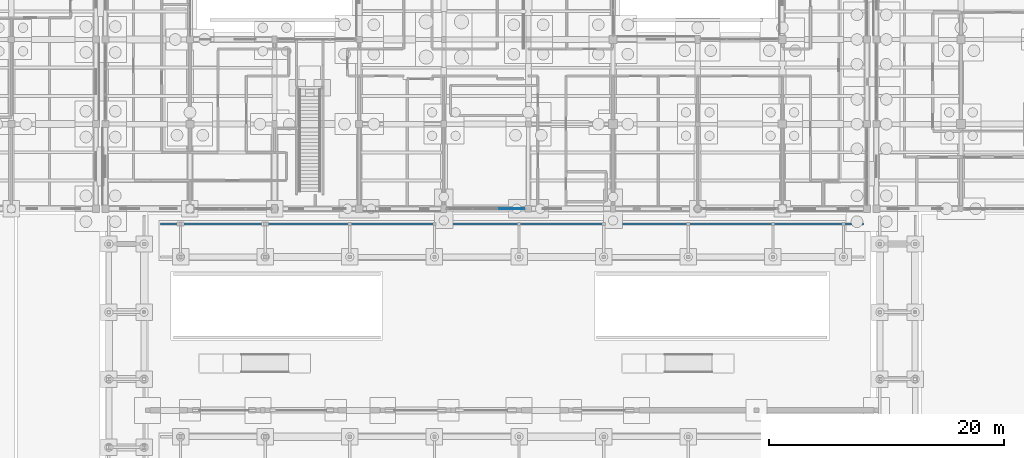
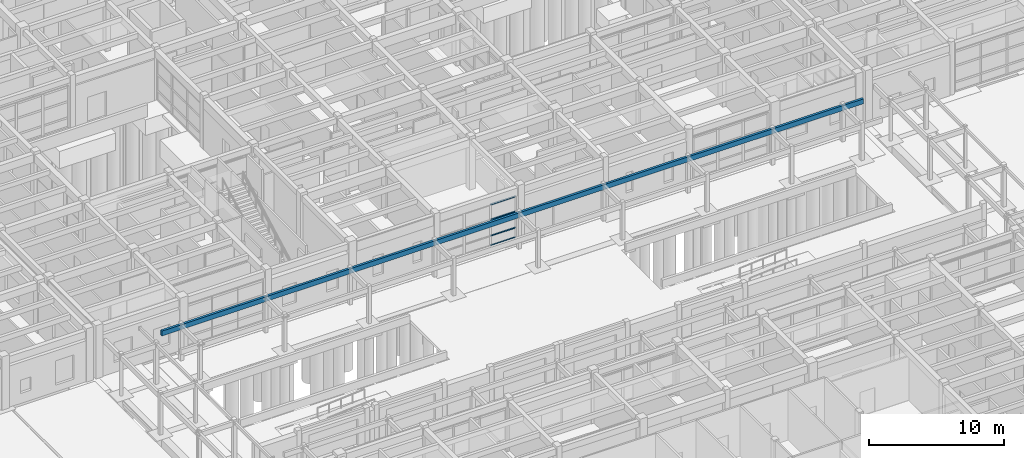
# One storey, part 52 of 143: 4 members, 1 beam, 1 element without a shape of its own.
"""IFC4 building model written with IfcOpenShell, lengths in metres."""

from ifc_helpers import new_model, si_unit, direction, frame, origin, origin_2d, place, context, subcontext, project, spatial, rectangle, extrude, material, material_profile, profile_set, type_object, element, aggregate, save


model = new_model("IFC4")

# Units and contexts
model_context = context("Model", 3, precision=1e-05, world=origin(), true_north=direction((0.0, 1.0)))
body_context = subcontext(model_context, "Body", "Model", "MODEL_VIEW")
ifc_project = project(units=[si_unit("LENGTHUNIT", "METRE"), si_unit("AREAUNIT", "SQUARE_METRE"), si_unit("VOLUMEUNIT", "CUBIC_METRE"), si_unit("PLANEANGLEUNIT", "RADIAN"), si_unit("MASSUNIT", "GRAM", prefix="KILO")], contexts=[model_context])

# Site, building, storey
site_placement = place(None, origin())
site = spatial("IfcSite", under=ifc_project, at=site_placement, CompositionType="ELEMENT")
building_placement = place(site_placement, origin())
building = spatial("IfcBuilding", under=site, at=building_placement, Name="Steenspoor Specialist Clinic", CompositionType="ELEMENT")
storey_placement = place(building_placement, origin())
storey = spatial("IfcBuildingStorey", under=building, at=storey_placement, Name="L00", CompositionType="ELEMENT", Elevation=0.0)

# Beam
ifc_material_1 = material(Name="Glulam GL28h", Category="wood")
ifc_material_profile_1 = material_profile(ifc_material_1, rectangle(XDim=0.199951171875, YDim=0.43994140625, at=origin_2d()), Name="GL28H-200X440")
ifc_profile_set_1 = profile_set([ifc_material_profile_1], Name="Glulam GL28h")
beam_type = type_object("IfcBeamType", Name="BM-GL-200X440", PredefinedType="BEAM", material=ifc_profile_set_1)
beam_placement = place(storey_placement, frame((57.10009765625, 63.85009765625, 3.014892578125), z_axis=(1.0, 0.0, 0.0), x_axis=(0.0, 1.0, 0.0)))
element("IfcBeam", 1, at=beam_placement, inside=storey, type_object=beam_type, Name="BM-WK4-CONT-1", PredefinedType="BEAM", context=body_context, shape_type="SweptSolid", body=[
    extrude(rectangle(XDim=0.199951171875, YDim=0.43994140625, at=origin_2d()), origin(), (0.0, 0.0, 1.0), 59.7998046875),
])

# Curtain wall, members
ifc_material_2 = material(Name="Thermally broken aluminium and low-emissivity glass", Category="aluminium")
curtain_wall_type = type_object("IfcCurtainWallType", Name="CW-SCR-360X320", PredefinedType="USERDEFINED", material=ifc_material_2)
curtain_wall_placement = place(storey_placement, origin())
curtain_wall = element("IfcCurtainWall", 2, at=curtain_wall_placement, inside=storey, type_object=curtain_wall_type, Name="Unitised Curtain Wall CW-V4-L00-043", ObjectType="UNITISED GLAZING", PredefinedType="USERDEFINED")
ifc_material_3 = material(Name="Thermally broken aluminium 6063-T6", Category="aluminium")
ifc_material_profile_2 = material_profile(ifc_material_3, rectangle(XDim=0.06005859375, YDim=0.114990234375, at=origin_2d()), Name="CWT-60X115")
ifc_profile_set_2 = profile_set([ifc_material_profile_2], Name="Thermally broken aluminium 6063-T6")
member_type = type_object("IfcMemberType", Name="CW-TRAN-60X115", PredefinedType="USERDEFINED", material=ifc_profile_set_2)
member_1_placement = place(storey_placement, frame((88.044921875, 65.14990234375, 0.030029296875), z_axis=(-1.0, 0.0, 0.0), x_axis=(0.0, -1.0, 0.0)))
member_1 = element("IfcMember", 3, at=member_1_placement, type_object=member_type, Name="CW-19 transom 1.1", ObjectType="TRANSOM", PredefinedType="USERDEFINED", context=body_context, shape_type="SweptSolid", body=[
    extrude(rectangle(XDim=0.06005859375, YDim=0.114990234375, at=origin_2d()), origin(), (0.0, 0.0, 1.0), 2.11328125),
])
member_2_placement = place(storey_placement, frame((88.044921875, 65.14990234375, 0.89990234375), z_axis=(-1.0, 0.0, 0.0), x_axis=(0.0, -1.0, 0.0)))
member_2 = element("IfcMember", 4, at=member_2_placement, type_object=member_type, Name="CW-19 transom 1.2", ObjectType="TRANSOM", PredefinedType="USERDEFINED", context=body_context, shape_type="SweptSolid", body=[
    extrude(rectangle(XDim=0.06005859375, YDim=0.114990234375, at=origin_2d()), origin(), (0.0, 0.0, 1.0), 2.11328125),
])
member_3_placement = place(storey_placement, frame((88.044921875, 65.14990234375, 2.35009765625), z_axis=(-1.0, 0.0, 0.0), x_axis=(0.0, -1.0, 0.0)))
member_3 = element("IfcMember", 5, at=member_3_placement, type_object=member_type, Name="CW-19 transom 1.3", ObjectType="TRANSOM", PredefinedType="USERDEFINED", context=body_context, shape_type="SweptSolid", body=[
    extrude(rectangle(XDim=0.06005859375, YDim=0.114990234375, at=origin_2d()), origin(), (0.0, 0.0, 1.0), 2.11328125),
])
member_4_placement = place(storey_placement, frame((88.044921875, 65.14990234375, 3.699951171875), z_axis=(-1.0, 0.0, 0.0), x_axis=(0.0, -1.0, 0.0)))
member_4 = element("IfcMember", 6, at=member_4_placement, type_object=member_type, Name="CW-19 transom 1.4", ObjectType="TRANSOM", PredefinedType="USERDEFINED", context=body_context, shape_type="SweptSolid", body=[
    extrude(rectangle(XDim=0.06005859375, YDim=0.114990234375, at=origin_2d()), origin(), (0.0, 0.0, 1.0), 2.11328125),
])
aggregate(curtain_wall, [member_1, member_2, member_3, member_4])

save(model, "model.ifc")
